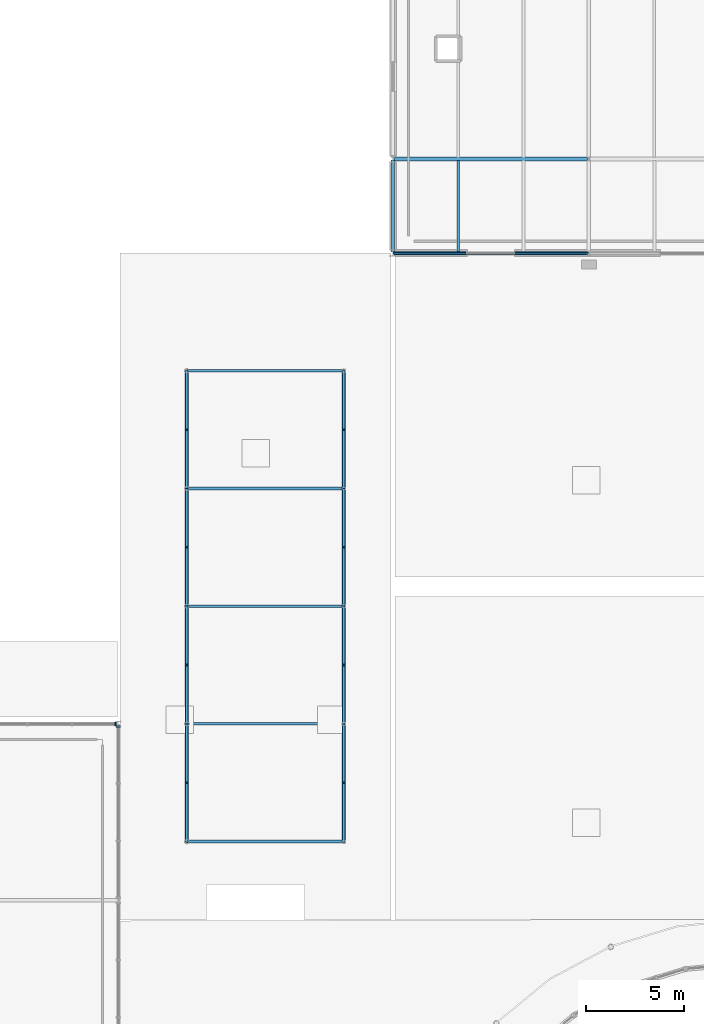
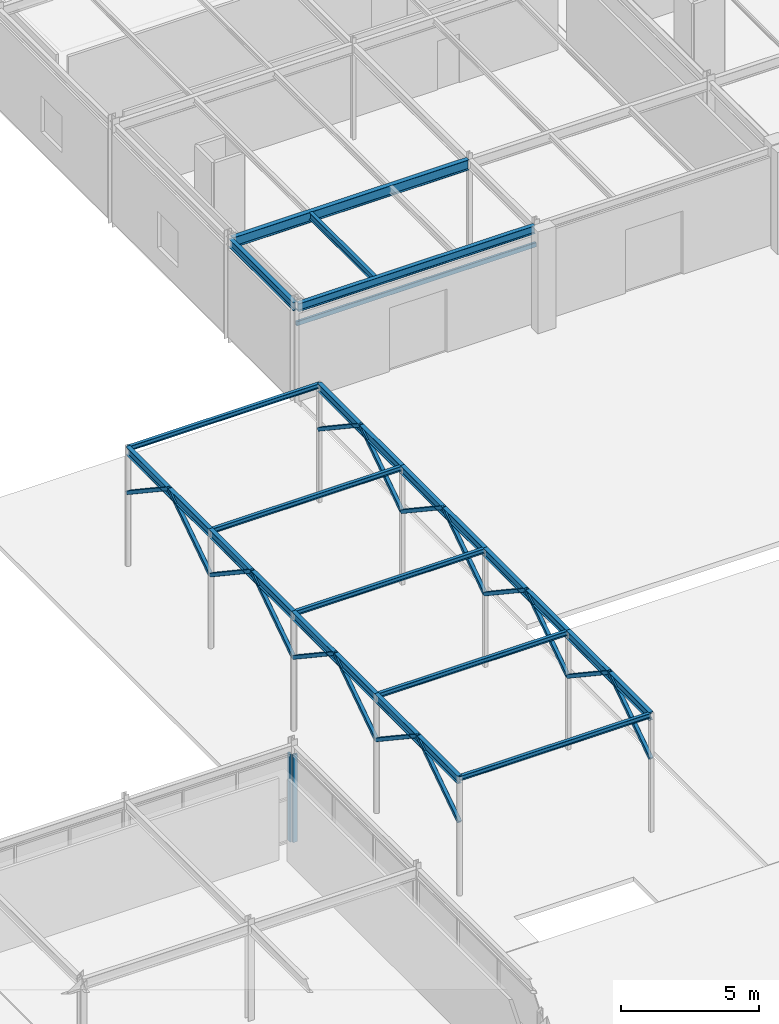
# One storey, part 58 of 119: 18 beams, 18 members, 2 elements without a shape of their own.
"""IFC4 building model written with IfcOpenShell, lengths in metres."""

from ifc_helpers import new_model, si_unit, derived_unit, direction, frame, origin, origin_2d_with_axis, place, context, subcontext, project, spatial, rectangle, hollow_rectangle, i_section, extrude, material, material_profile, profile_set, type_object, element, aggregate, save


model = new_model("IFC4")

# Units and contexts
model_context = context("Model", 3, precision=1e-05, world=origin(), true_north=direction((0.0, 1.0)))
body_context = subcontext(model_context, "Body", "Model", "MODEL_VIEW")
ifc_project = project(units=[si_unit("LENGTHUNIT", "METRE"), si_unit("AREAUNIT", "SQUARE_METRE"), si_unit("VOLUMEUNIT", "CUBIC_METRE"), si_unit("PLANEANGLEUNIT", "RADIAN"), si_unit("MASSUNIT", "GRAM", prefix="KILO"), derived_unit("THERMALTRANSMITTANCEUNIT", [(si_unit("POWERUNIT", "WATT"), 1), (si_unit("LENGTHUNIT", "METRE"), -2), (si_unit("THERMODYNAMICTEMPERATUREUNIT", "KELVIN"), -1)])], contexts=[model_context])

# Site, building, storey
site_placement = place(None, origin())
site = spatial("IfcSite", under=ifc_project, at=site_placement, CompositionType="ELEMENT")
building_placement = place(site_placement, origin())
building = spatial("IfcBuilding", under=site, at=building_placement, Name="Cinnabar Yard Market Hall", CompositionType="ELEMENT")
storey_placement = place(building_placement, origin())
storey = spatial("IfcBuildingStorey", under=building, at=storey_placement, Name="L00", CompositionType="ELEMENT", Elevation=0.0)

# Beams
ifc_material_1 = material(Name="Steel Grade 300 (300 MPa)", Category="steel")
ifc_material_profile_1 = material_profile(ifc_material_1, i_section(OverallWidth=0.18994140625, OverallDepth=0.453857421875, WebThickness=0.008544921875, FlangeThickness=0.0126953125, FilletRadius=0.011474609375, at=origin_2d_with_axis()), Name="460UB67.1")
ifc_profile_set_1 = profile_set([ifc_material_profile_1], Name="Steel Grade 300 (300 MPa)")
beam_type_1 = type_object("IfcBeamType", Name="BM-B05", PredefinedType="BEAM", material=ifc_profile_set_1)
beam_1_placement = place(storey_placement, frame((66.06005859375, 112.800048828125, 4.01318359375), z_axis=(1.0, 0.0, 0.0), x_axis=(0.0, 1.0, 0.0)))
element("IfcBeam", 1, at=beam_1_placement, inside=storey, type_object=beam_type_1, Name="V3 L00 Girder X 00860", PredefinedType="BEAM", context=body_context, shape_type="SweptSolid", body=[
    extrude(i_section(OverallWidth=0.18994140625, OverallDepth=0.453857421875, WebThickness=0.008544921875, FlangeThickness=0.0126953125, FilletRadius=0.011474609375, at=origin_2d_with_axis()), origin(), (0.0, 0.0, 1.0), 9.8798828125),
])
ifc_material_profile_2 = material_profile(ifc_material_1, i_section(OverallWidth=0.172119140625, OverallDepth=0.358642578125, WebThickness=0.008056640625, FlangeThickness=0.012939453125, FilletRadius=0.011474609375, at=origin_2d_with_axis()), Name="360UB56.7")
ifc_profile_set_2 = profile_set([ifc_material_profile_2], Name="Steel Grade 300 (300 MPa)")
beam_type_2 = type_object("IfcBeamType", Name="BM-B07E", PredefinedType="BEAM", material=ifc_profile_set_2)
for number, where, z_axis, x_axis, name in (
    (2, (55.5, 78.0, 5.07080078125), (0.0, 1.0, 0.0), (-1.0, 0.0, 0.0), "West Riwaq Eave Beam 01556"),
    (3, (63.5, 78.0, 5.07080078125), (0.0, 1.0, 0.0), (-1.0, 0.0, 0.0), "West Riwaq Court Beam 01557"),
    (4, (55.5, 84.0, 5.07080078125), (0.0, 1.0, 0.0), (-1.0, 0.0, 0.0), "West Riwaq Eave Beam 01560"),
    (5, (63.5, 84.0, 5.07080078125), (0.0, 1.0, 0.0), (-1.0, 0.0, 0.0), "West Riwaq Court Beam 01561"),
    (6, (55.5, 90.0, 5.07080078125), (0.0, 1.0, 0.0), (-1.0, 0.0, 0.0), "West Riwaq Eave Beam 01564"),
    (7, (63.5, 90.0, 5.07080078125), (0.0, 1.0, 0.0), (-1.0, 0.0, 0.0), "West Riwaq Court Beam 01565"),
    (8, (55.5, 96.0, 5.07080078125), (0.0, 1.0, 0.0), (-1.0, 0.0, 0.0), "West Riwaq Eave Beam 01568"),
    (9, (63.5, 96.0, 5.07080078125), (0.0, 1.0, 0.0), (-1.0, 0.0, 0.0), "West Riwaq Court Beam 01569"),
):
    element("IfcBeam", number, at=place(storey_placement, frame(where, z_axis=z_axis, x_axis=x_axis)), inside=storey, type_object=beam_type_2, Name=name, PredefinedType="BEAM", context=body_context, shape_type="SweptSolid", body=[
        extrude(i_section(OverallWidth=0.172119140625, OverallDepth=0.358642578125, WebThickness=0.008056640625, FlangeThickness=0.012939453125, FilletRadius=0.011474609375, at=origin_2d_with_axis()), origin(), (0.0, 0.0, 1.0), 6.0),
    ])
ifc_material_profile_3 = material_profile(ifc_material_1, i_section(OverallWidth=0.14892578125, OverallDepth=0.298095703125, WebThickness=0.005615234375, FlangeThickness=0.008056640625, FilletRadius=0.0087890625, at=origin_2d_with_axis()), Name="310UB32.0")
ifc_profile_set_3 = profile_set([ifc_material_profile_3], Name="Steel Grade 300 (300 MPa)")
beam_type_3 = type_object("IfcBeamType", Name="BM-J02", PredefinedType="JOIST", material=ifc_profile_set_3)
beam_2_placement = place(storey_placement, frame((69.333251953125, 108.074951171875, 4.091064453125), z_axis=(0.0, 1.0, 0.0), x_axis=(-1.0, 0.0, 0.0)))
element("IfcBeam", 10, at=beam_2_placement, inside=storey, type_object=beam_type_3, Name="V3 L00 Joist 00953", PredefinedType="JOIST", context=body_context, shape_type="SweptSolid", body=[
    extrude(i_section(OverallWidth=0.14892578125, OverallDepth=0.298095703125, WebThickness=0.005615234375, FlangeThickness=0.008056640625, FilletRadius=0.0087890625, at=origin_2d_with_axis()), origin(), (0.0, 0.0, 1.0), 4.650146484375),
])
ifc_material_profile_4 = material_profile(ifc_material_1, i_section(OverallWidth=0.134033203125, OverallDepth=0.20703125, WebThickness=0.00634765625, FlangeThickness=0.009521484375, FilletRadius=0.0087890625, at=origin_2d_with_axis()), Name="200UB29.8")
ifc_profile_set_4 = profile_set([ifc_material_profile_4], Name="Steel Grade 300 (300 MPa)")
beam_type_4 = type_object("IfcBeamType", Name="BM-J04E", PredefinedType="JOIST", material=ifc_profile_set_4)
for number, where, z_axis, x_axis, name in (
    (11, (55.5, 78.0, 5.146484375), (1.0, 0.0, 0.0), (0.0, 1.0, 0.0), "West Riwaq Tie 01572"),
    (12, (55.5, 84.0, 5.146484375), (1.0, 0.0, 0.0), (0.0, 1.0, 0.0), "West Riwaq Tie 01574"),
    (13, (55.5, 90.0, 5.146484375), (1.0, 0.0, 0.0), (0.0, 1.0, 0.0), "West Riwaq Tie 01576"),
    (14, (55.5, 96.0, 5.146484375), (1.0, 0.0, 0.0), (0.0, 1.0, 0.0), "West Riwaq Tie 01578"),
    (15, (55.5, 102.0, 5.146484375), (1.0, 0.0, 0.0), (0.0, 1.0, 0.0), "West Riwaq Tie 01580"),
):
    element("IfcBeam", number, at=place(storey_placement, frame(where, z_axis=z_axis, x_axis=x_axis)), inside=storey, type_object=beam_type_4, Name=name, PredefinedType="JOIST", context=body_context, shape_type="SweptSolid", body=[
        extrude(i_section(OverallWidth=0.134033203125, OverallDepth=0.20703125, WebThickness=0.00634765625, FlangeThickness=0.009521484375, FilletRadius=0.0087890625, at=origin_2d_with_axis()), origin(), (0.0, 0.0, 1.0), 8.0),
    ])
ifc_material_2 = material(Name="Cold-formed steel C350L0", Category="steel")
ifc_material_profile_5 = material_profile(ifc_material_2, hollow_rectangle(XDim=0.10009765625, YDim=0.199951171875, WallThickness=0.006103515625, InnerFilletRadius=0.006103515625, OuterFilletRadius=0.011962890625, at=origin_2d_with_axis()), Name="200x100x6.0RHS")
ifc_profile_set_5 = profile_set([ifc_material_profile_5], Name="Cold-formed steel C350L0")
beam_type_5 = type_object("IfcBeamType", Name="BM-LN01E", PredefinedType="LINTEL", material=ifc_profile_set_5)
beam_3_placement = place(storey_placement, frame((66.0, 108.0, 3.35009765625), z_axis=(1.0, 0.0, 0.0), x_axis=(0.0, 1.0, 0.0)))
element("IfcBeam", 16, at=beam_3_placement, inside=storey, type_object=beam_type_5, Name="Portal Transom Lintel 1 01586", PredefinedType="LINTEL", context=body_context, shape_type="SweptSolid", body=[
    extrude(hollow_rectangle(XDim=0.10009765625, YDim=0.199951171875, WallThickness=0.006103515625, InnerFilletRadius=0.006103515625, OuterFilletRadius=0.011962890625, at=origin_2d_with_axis()), origin(), (0.0, 0.0, 1.0), 10.0),
])
ifc_material_profile_6 = material_profile(ifc_material_1, i_section(OverallWidth=0.172119140625, OverallDepth=0.358642578125, WebThickness=0.008056640625, FlangeThickness=0.012939453125, FilletRadius=0.011474609375, at=origin_2d_with_axis()), Name="360UB56.7")
ifc_profile_set_6 = profile_set([ifc_material_profile_6], Name="Steel Grade 300 (300 MPa)")
beam_type_6 = type_object("IfcBeamType", Name="BM-SP02E", PredefinedType="SPANDREL", material=ifc_profile_set_6)
beam_4_placement = place(storey_placement, frame((66.06005859375, 108.0, 4.060791015625), z_axis=(1.0, 0.0, 0.0), x_axis=(0.0, 1.0, 0.0)))
element("IfcBeam", 17, at=beam_4_placement, inside=storey, type_object=beam_type_6, Name="V3 L00 Girder X 00859", PredefinedType="SPANDREL", context=body_context, shape_type="SweptSolid", body=[
    extrude(i_section(OverallWidth=0.172119140625, OverallDepth=0.358642578125, WebThickness=0.008056640625, FlangeThickness=0.012939453125, FilletRadius=0.011474609375, at=origin_2d_with_axis()), origin(), (0.0, 0.0, 1.0), 9.8798828125),
])
beam_5_placement = place(storey_placement, frame((66.0, 108.06005859375, 4.060791015625), z_axis=(0.0, 1.0, 0.0), x_axis=(-1.0, 0.0, 0.0)))
element("IfcBeam", 18, at=beam_5_placement, inside=storey, type_object=beam_type_6, Name="V3 L00 Girder Y 00909", PredefinedType="SPANDREL", context=body_context, shape_type="SweptSolid", body=[
    extrude(i_section(OverallWidth=0.172119140625, OverallDepth=0.358642578125, WebThickness=0.008056640625, FlangeThickness=0.012939453125, FilletRadius=0.011474609375, at=origin_2d_with_axis()), origin(), (0.0, 0.0, 1.0), 4.679931640625),
])

# Curtain wall, member
ifc_material_3 = material(Name="Anodised bronze aluminium courtyard facade", Category="aluminium")
curtain_wall_type_1 = type_object("IfcCurtainWallType", Name="CW-CWF068x39", PredefinedType="NOTDEFINED", material=ifc_material_3)
curtain_wall_1_placement = place(storey_placement, origin())
curtain_wall_1 = element("IfcCurtainWall", 19, at=curtain_wall_1_placement, inside=storey, type_object=curtain_wall_type_1, Name="Pavilion North Glazed Arcade L00 Bay 6", PredefinedType="NOTDEFINED")
ifc_material_4 = material(Name="Anodised bronze aluminium", Category="aluminium")
ifc_material_profile_7 = material_profile(ifc_material_4, rectangle(XDim=0.179931640625, YDim=0.074951171875, at=origin_2d_with_axis()), Name="MUL-CWF")
ifc_profile_set_7 = profile_set([ifc_material_profile_7], Name="Anodised bronze aluminium")
member_type_1 = type_object("IfcMemberType", Name="CWM-CWF", PredefinedType="MULLION", material=ifc_profile_set_7)
member_1_placement = place(storey_placement, frame((51.862548828125, 84.0, 0.0), z_axis=(0.0, 0.0, 1.0), x_axis=(0.0, -1.0, 0.0)))
member_1 = element("IfcMember", 20, at=member_1_placement, type_object=member_type_1, Name="CWF068x39 mullion 1", PredefinedType="MULLION", context=body_context, shape_type="SweptSolid", body=[
    extrude(rectangle(XDim=0.179931640625, YDim=0.074951171875, at=origin_2d_with_axis()), origin(), (0.0, 0.0, 1.0), 3.8798828125),
])
aggregate(curtain_wall_1, [member_1])

curtain_wall_type_2 = type_object("IfcCurtainWallType", Name="CW-CWF088x39", PredefinedType="NOTDEFINED", material=ifc_material_3)
curtain_wall_2_placement = place(storey_placement, origin())
curtain_wall_2 = element("IfcCurtainWall", 21, at=curtain_wall_2_placement, inside=storey, type_object=curtain_wall_type_2, Name="Pavilion Courtyard Glazing L00 Bay 4", PredefinedType="NOTDEFINED")
member_2_placement = place(storey_placement, frame((52.0, 83.862548828125, 0.0), z_axis=(0.0, 0.0, 1.0), x_axis=(-1.0, 0.0, 0.0)))
member_2 = element("IfcMember", 22, at=member_2_placement, type_object=member_type_1, Name="CWF088x39 mullion 4", PredefinedType="MULLION", context=body_context, shape_type="SweptSolid", body=[
    extrude(rectangle(XDim=0.179931640625, YDim=0.074951171875, at=origin_2d_with_axis()), origin(), (0.0, 0.0, 1.0), 3.8798828125),
])
aggregate(curtain_wall_2, [member_2])

# Members
ifc_material_5 = material(Name="Spotted-gum glulam-clad steel Grade 350 (350 MPa)", Category="steel")
ifc_material_profile_8 = material_profile(ifc_material_5, hollow_rectangle(XDim=0.14990234375, YDim=0.14990234375, WallThickness=0.006103515625, InnerFilletRadius=0.006103515625, OuterFilletRadius=0.011962890625, at=origin_2d_with_axis()), Name="150x150x6.0SHS")
ifc_profile_set_8 = profile_set([ifc_material_profile_8], Name="Spotted-gum glulam-clad steel Grade 350 (350 MPa)")
member_type_2 = type_object("IfcMemberType", Name="MB-AR02E", PredefinedType="USERDEFINED", material=ifc_profile_set_8)
for number, where, z_axis, x_axis, name in (
    (23, (55.5, 78.0, 3.199951171875), (0.0, 0.832050294338, 0.554700196225), (-1.0, 0.0, 0.0), "Riwaq Pointed Arch W1 1A"),
    (24, (55.5, 84.0, 3.199951171875), (0.0, -0.832050294338, 0.554700196225), (1.0, 0.0, 0.0), "Riwaq Pointed Arch W1 1B"),
    (25, (63.5, 78.0, 3.199951171875), (0.0, 0.832050294338, 0.554700196225), (-1.0, 0.0, 0.0), "Riwaq Pointed Arch W2 1A"),
    (26, (63.5, 84.0, 3.199951171875), (0.0, -0.832050294338, 0.554700196225), (1.0, 0.0, 0.0), "Riwaq Pointed Arch W2 1B"),
    (27, (55.5, 84.0, 3.199951171875), (0.0, 0.832050294338, 0.554700196225), (-1.0, 0.0, 0.0), "Riwaq Pointed Arch W1 2A"),
    (28, (55.5, 90.0, 3.199951171875), (0.0, -0.832050294338, 0.554700196225), (1.0, 0.0, 0.0), "Riwaq Pointed Arch W1 2B"),
    (29, (63.5, 84.0, 3.199951171875), (0.0, 0.832050294338, 0.554700196225), (-1.0, 0.0, 0.0), "Riwaq Pointed Arch W2 2A"),
    (30, (63.5, 90.0, 3.199951171875), (0.0, -0.832050294338, 0.554700196225), (1.0, 0.0, 0.0), "Riwaq Pointed Arch W2 2B"),
    (31, (55.5, 90.0, 3.199951171875), (0.0, 0.832050294338, 0.554700196225), (-1.0, 0.0, 0.0), "Riwaq Pointed Arch W1 3A"),
    (32, (55.5, 96.0, 3.199951171875), (0.0, -0.832050294338, 0.554700196225), (1.0, 0.0, 0.0), "Riwaq Pointed Arch W1 3B"),
    (33, (63.5, 90.0, 3.199951171875), (0.0, 0.832050294338, 0.554700196225), (-1.0, 0.0, 0.0), "Riwaq Pointed Arch W2 3A"),
    (34, (63.5, 96.0, 3.199951171875), (0.0, -0.832050294338, 0.554700196225), (1.0, 0.0, 0.0), "Riwaq Pointed Arch W2 3B"),
    (35, (55.5, 96.0, 3.199951171875), (0.0, 0.832050294338, 0.554700196225), (-1.0, 0.0, 0.0), "Riwaq Pointed Arch W1 4A"),
    (36, (55.5, 102.0, 3.199951171875), (0.0, -0.832050294338, 0.554700196225), (1.0, 0.0, 0.0), "Riwaq Pointed Arch W1 4B"),
    (37, (63.5, 96.0, 3.199951171875), (0.0, 0.832050294338, 0.554700196225), (-1.0, 0.0, 0.0), "Riwaq Pointed Arch W2 4A"),
    (38, (63.5, 102.0, 3.199951171875), (0.0, -0.832050294338, 0.554700196225), (1.0, 0.0, 0.0), "Riwaq Pointed Arch W2 4B"),
):
    element("IfcMember", number, at=place(storey_placement, frame(where, z_axis=z_axis, x_axis=x_axis)), inside=storey, type_object=member_type_2, Name=name, ObjectType="ARCH RIB", PredefinedType="USERDEFINED", context=body_context, shape_type="SweptSolid", body=[
        extrude(hollow_rectangle(XDim=0.14990234375, YDim=0.14990234375, WallThickness=0.006103515625, InnerFilletRadius=0.006103515625, OuterFilletRadius=0.011962890625, at=origin_2d_with_axis()), origin(), (0.0, 0.0, 1.0), 3.60546875),
    ])

save(model, "model.ifc")
